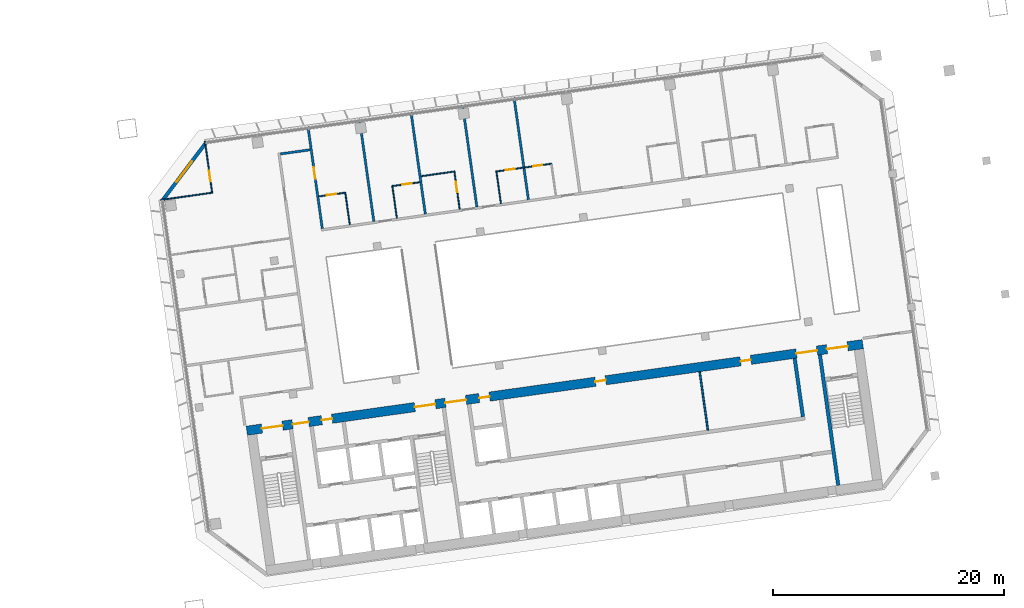
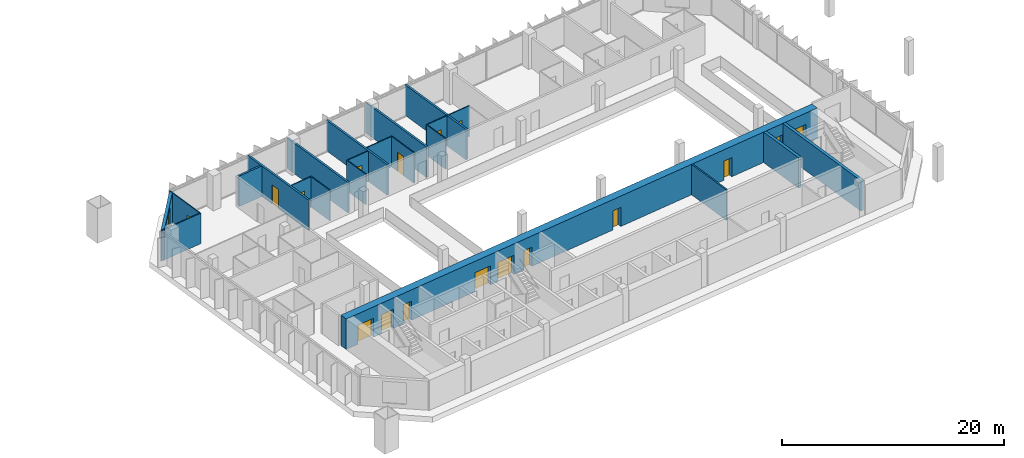
# One storey, part 22 of 26: 21 walls, 17 doors, 1 window, 18 openings.
"""IFC4 building model written with IfcOpenShell, lengths in metres."""

import ifcopenshell
import ifcopenshell.guid

model = None  # the IFC model being written
_history = None  # IfcOwnerHistory: only IFC2X3 demands one
_inside = {}  # id of a spatial element -> (the spatial element, [elements in it])
_under = {}  # id of a project, library or spatial element -> (it, [spatial elements below it])
_declared = {}  # id of a project -> (the project, [libraries it declares])
_typed = {}  # id of a type object -> (the type object, [elements of that type])
_made_of = {}  # id of a material, layer set ... -> (it, [elements and type objects made of it])


def new_model(schema):
    """Start an empty IFC model of exactly this schema.

    Asked for "IFC4X3", IfcOpenShell would pick the latest addendum, in which some entities
    have other attributes; the version numbers below select the first issue.
    IFC2X3 requires an IfcOwnerHistory on every rooted entity: one is made here for all.
    """
    global model, _history
    if schema == "IFC4X3":
        model = ifcopenshell.file(schema_version=(4, 3, 0, 0))
    else:
        model = ifcopenshell.file(schema=schema)
    _inside.clear()
    _under.clear()
    _declared.clear()
    _typed.clear()
    _made_of.clear()
    _history = None
    if model.schema == "IFC2X3":
        org = make("IfcOrganization", Name="unknown")
        user = make(
            "IfcPersonAndOrganization",
            ThePerson=make("IfcPerson", FamilyName="unknown"),
            TheOrganization=org,
        )
        app = make(
            "IfcApplication",
            ApplicationDeveloper=org,
            Version="unknown",
            ApplicationFullName="unknown",
            ApplicationIdentifier="unknown",
        )
        _history = make(
            "IfcOwnerHistory",
            OwningUser=user,
            OwningApplication=app,
            ChangeAction="ADDED",
            CreationDate=0,
        )
    return model


def make(cls, **values):
    """One entity of the class cls with the attributes given. An attribute that is None is left unset."""
    return model.create_entity(
        cls, **{name: value for name, value in values.items() if value is not None}
    )


def rooted(cls, **values):
    """An entity with a GlobalId (a new one), such as an element, a storey or a relation."""
    return make(cls, GlobalId=ifcopenshell.guid.new(), OwnerHistory=_history, **values)


def si_unit(unit_type, name, prefix=None):
    """IfcSIUnit, for example si_unit("LENGTHUNIT", "METRE", prefix="MILLI")."""
    return make("IfcSIUnit", UnitType=unit_type, Prefix=prefix, Name=name)


def assignment(units):
    """IfcUnitAssignment: the units of a project."""
    return None if units is None else make("IfcUnitAssignment", Units=units)


def point(xyz):
    """IfcCartesianPoint."""
    return None if xyz is None else make("IfcCartesianPoint", Coordinates=xyz)


def direction(xyz):
    """IfcDirection."""
    return None if xyz is None else make("IfcDirection", DirectionRatios=xyz)


def frame(location, z_axis=None, x_axis=None):
    """IfcAxis2Placement3D, a coordinate frame: its origin and axes. An axis left out is left unset."""
    return make(
        "IfcAxis2Placement3D",
        Location=point(location),
        Axis=direction(z_axis),
        RefDirection=direction(x_axis),
    )


def frame_2d(location, x_axis=None):
    """IfcAxis2Placement2D, a coordinate frame in the plane: its origin and x axis."""
    return make(
        "IfcAxis2Placement2D", Location=point(location), RefDirection=direction(x_axis)
    )


def origin():
    """The frame at (0, 0, 0) with its axes left unset."""
    return frame((0.0, 0.0, 0.0))


def place(relative_to, where):
    """IfcLocalPlacement: puts the frame where relative to a parent placement (None: the world)."""
    return make(
        "IfcLocalPlacement", PlacementRelTo=relative_to, RelativePlacement=where
    )


def context(
    kind, dimensions, precision=None, world=None, true_north=None, identifier=None
):
    """IfcGeometricRepresentationContext, for example the 3D "Model" context."""
    return make(
        "IfcGeometricRepresentationContext",
        ContextIdentifier=identifier,
        ContextType=kind,
        CoordinateSpaceDimension=dimensions,
        Precision=precision,
        WorldCoordinateSystem=world,
        TrueNorth=true_north,
    )


def subcontext(parent, identifier, kind, view, scale=None):
    """IfcGeometricRepresentationSubContext, for example "Body" below "Model"."""
    return make(
        "IfcGeometricRepresentationSubContext",
        ContextIdentifier=identifier,
        ContextType=kind,
        ParentContext=parent,
        TargetScale=scale,
        TargetView=view,
    )


def project(units=None, contexts=None):
    """IfcProject with its units and contexts."""
    return rooted(
        "IfcProject",
        Name="project",
        RepresentationContexts=contexts,
        UnitsInContext=assignment(units),
    )


def spatial(cls, under=None, at=None, **own):
    """A site, building, storey or space (cls), placed at a placement, below another one or the project."""
    s = rooted(cls, ObjectPlacement=at, **own)
    if under is not None:
        _under.setdefault(under.id(), (under, []))[1].append(s)
    return s


def profile(cls, at=None, kind="AREA", **sizes):
    """A parametric profile (cls). Its sizes go by their IFC names, for example OverallWidth=200.0."""
    return make(cls, ProfileType=kind, Position=at, **sizes)


def rectangle(**sizes):
    """IfcRectangleProfileDef."""
    return profile("IfcRectangleProfileDef", **sizes)


def extrude(swept, where, along, depth):
    """IfcExtrudedAreaSolid: the profile swept, set in the frame where, extruded along a direction by depth."""
    return make(
        "IfcExtrudedAreaSolid",
        SweptArea=swept,
        Position=where,
        ExtrudedDirection=direction(along),
        Depth=depth,
    )


def shape(context_of_items, identifier, shape_type, items):
    """IfcShapeRepresentation: the items that make up one representation, for example the "Body"."""
    return make(
        "IfcShapeRepresentation",
        ContextOfItems=context_of_items,
        RepresentationIdentifier=identifier,
        RepresentationType=shape_type,
        Items=items,
    )


def material(Name=None, Category=None):
    """IfcMaterial."""
    return make("IfcMaterial", Name=Name, Category=Category)


def layer(
    of_material, thickness, ventilated=None, Name=None, Category=None, Priority=None
):
    """IfcMaterialLayer: one layer of a wall or slab, of a material (None: an air gap)."""
    return make(
        "IfcMaterialLayer",
        Material=of_material,
        LayerThickness=thickness,
        IsVentilated=ventilated,
        Name=Name,
        Category=Category,
        Priority=Priority,
    )


def layer_set(layers, Name=None):
    """IfcMaterialLayerSet."""
    return make("IfcMaterialLayerSet", MaterialLayers=layers, LayerSetName=Name)


def made_of(thing, what):
    """Note that an element or type object is made of a material, layer set ...; save() writes the relation."""
    if what is not None:
        _made_of.setdefault(what.id(), (what, []))[1].append(thing)
    return thing


def type_object(cls, material=None, **own):
    """A type object (cls), such as IfcWallType, which elements share."""
    return made_of(rooted(cls, **own), material)


def element(
    cls,
    number,
    at=None,
    inside=None,
    cuts=None,
    type_object=None,
    material=None,
    context=None,
    identifier="Body",
    shape_type=None,
    held_by="IfcProductDefinitionShape",
    body=None,
    shapes=None,
    **own,
):
    """One element of the class cls, such as IfcWall. Its Tag is "e" and its number.

    at: its placement. inside: the storey or other place that contains it. cuts: it is an
    opening in that element (IfcRelVoidsElement). A single representation is given by context,
    identifier, shape_type and body (its items); several are given by shapes. held_by: the class
    of the entity that holds the representations. save() writes the other relations.
    """
    e = rooted(cls, Tag="e%d" % number, ObjectPlacement=at, **own)
    if body is not None:
        shapes = [shape(context, identifier, shape_type, body)]
    if shapes is not None:
        e.Representation = make(held_by, Representations=shapes)
    if inside is not None:
        _inside.setdefault(inside.id(), (inside, []))[1].append(e)
    if cuts is not None:
        rooted(
            "IfcRelVoidsElement", RelatingBuildingElement=cuts, RelatedOpeningElement=e
        )
    if type_object is not None:
        _typed.setdefault(type_object.id(), (type_object, []))[1].append(e)
    return made_of(e, material)


def fill(opening, filler):
    """IfcRelFillsElement: the door or window that sits in an opening."""
    return rooted(
        "IfcRelFillsElement",
        RelatingOpeningElement=opening,
        RelatedBuildingElement=filler,
    )


def aggregate(whole, parts):
    """IfcRelAggregates: a whole, such as a stair, and the parts it consists of."""
    return rooted("IfcRelAggregates", RelatingObject=whole, RelatedObjects=parts)


def save(model, path):
    """Write the relations noted so far, then the file.

    IfcRelAggregates (storeys below a building ...), IfcRelContainedInSpatialStructure (elements
    in a storey), IfcRelDefinesByType, IfcRelAssociatesMaterial and IfcRelDeclares: one each for
    every whole, place, type object, material and project.
    """
    for whole, parts in _under.values():
        aggregate(whole, parts)
    for where, things in _inside.values():
        rooted(
            "IfcRelContainedInSpatialStructure",
            RelatedElements=things,
            RelatingStructure=where,
        )
    for kind, things in _typed.values():
        rooted("IfcRelDefinesByType", RelatedObjects=things, RelatingType=kind)
    for what, things in _made_of.values():
        rooted("IfcRelAssociatesMaterial", RelatedObjects=things, RelatingMaterial=what)
    for by, libraries in _declared.values():
        rooted("IfcRelDeclares", RelatingContext=by, RelatedDefinitions=libraries)
    model.write(path)


model = new_model("IFC4")

# Units and contexts
model_context = context("Model", 3, precision=1e-05, world=origin(), true_north=direction((0.0, 1.0)))
body_context = subcontext(model_context, "Body", "Model", "MODEL_VIEW")
ifc_project = project(units=[si_unit("LENGTHUNIT", "METRE"), si_unit("AREAUNIT", "SQUARE_METRE"), si_unit("VOLUMEUNIT", "CUBIC_METRE"), si_unit("PLANEANGLEUNIT", "RADIAN"), si_unit("MASSUNIT", "GRAM", prefix="KILO")], contexts=[model_context])

# Site, building, storey
site_placement = place(None, origin())
site = spatial("IfcSite", under=ifc_project, at=site_placement, CompositionType="ELEMENT")
building_placement = place(site_placement, origin())
building = spatial("IfcBuilding", under=site, at=building_placement, Name="Mirante Cascada Hotel Towers", CompositionType="ELEMENT")
storey_placement = place(building_placement, frame((0.0, 0.0, 98.7)))
storey = spatial("IfcBuildingStorey", under=building, at=storey_placement, Name="L21", CompositionType="ELEMENT", Elevation=98.7)

# Wall
ifc_material_1 = material(Name="Fire-rated plasterboard on metal studs")
ifc_layer_1 = layer(ifc_material_1, 0.2)
ifc_layer_set_1 = layer_set([ifc_layer_1], Name="Compartment wall 200 EI 120")
wall_type_1 = type_object("IfcWallType", Name="Compartment wall 200 EI 120", PredefinedType="PARTITIONING", material=ifc_layer_set_1)
wall_1_placement = place(storey_placement, frame((40.9036, 16.6995, 0.0), z_axis=(0.0, 0.0, 1.0), x_axis=(-0.9902647, -0.1391971, 0.0)))
element("IfcWall", 1, at=wall_1_placement, inside=storey, type_object=wall_type_1, Name="Wall 2-L21-19", PredefinedType="PARTITIONING", context=body_context, shape_type="SweptSolid", body=[
    extrude(rectangle(XDim=2.5999, YDim=0.2, at=frame_2d((1.3, 0.0))), origin(), (0.0, 0.0, 1.0), 3.35),
])

# Wall, opening, door
wall_2_placement = place(storey_placement, frame((40.7243, 18.6939, 0.0), z_axis=(0.0, 0.0, 1.0), x_axis=(0.1391794, -0.9902672, 0.0)))
wall_2 = element("IfcWall", 2, at=wall_2_placement, inside=storey, type_object=wall_type_1, Name="Wall 2-L21-29", PredefinedType="PARTITIONING", context=body_context, shape_type="SweptSolid", body=[
    extrude(rectangle(XDim=8.9, YDim=0.2, at=frame_2d((4.45, 0.0))), origin(), (0.0, 0.0, 1.0), 3.35),
])
opening_1_placement = place(wall_2_placement, frame((3.55, 0.0, 0.0)))
opening_1 = element("IfcOpeningElement", 3, at=opening_1_placement, cuts=wall_2, Name="Opening D2-L21-28", PredefinedType="OPENING", context=body_context, shape_type="SweptSolid", body=[
    extrude(rectangle(XDim=1.0, YDim=2.1, at=frame_2d((0.5, 1.05))), frame((0.0, 0.1, 0.0), z_axis=(0.0, -1.0, 0.0), x_axis=(1.0, 0.0, 0.0)), (0.0, 0.0, 1.0), 0.2),
])
ifc_material_2 = material(Name="Fire-rated timber door leaf", Category="wood")
door_type_1 = type_object("IfcDoorType", Name="Entrance door DG1 1000x2100 EI 60", OperationType="SINGLE_SWING_LEFT", PredefinedType="DOOR", material=ifc_material_2)
door_1_placement = place(opening_1_placement, origin())
door_1 = element("IfcDoor", 4, at=door_1_placement, inside=storey, type_object=door_type_1, Name="Door D2-L21-28", OperationType="SINGLE_SWING_LEFT", OverallHeight=2.1, OverallWidth=1.0, PredefinedType="DOOR", context=body_context, shape_type="SweptSolid", body=[
    extrude(rectangle(XDim=1.0, YDim=2.1, at=frame_2d((0.5, 1.05))), frame((0.0, 0.025, 0.0), z_axis=(0.0, -1.0, 0.0), x_axis=(1.0, 0.0, 0.0)), (0.0, 0.0, 1.0), 0.05),
])
fill(opening_1, door_1)

# Walls
for number, where, z_axis, x_axis, name in (
    (5, (45.1805, 19.3202, 0.0), (0.0, 0.0, 1.0), (0.1391794, -0.9902672, 0.0), "Wall 2-L21-31"),
    (6, (49.6367, 19.9465, 0.0), (0.0, 0.0, 1.0), (0.1391794, -0.9902672, 0.0), "Wall 2-L21-33"),
    (7, (54.0929, 20.5728, 0.0), (0.0, 0.0, 1.0), (0.1391794, -0.9902672, 0.0), "Wall 2-L21-35"),
):
    element("IfcWall", number, at=place(storey_placement, frame(where, z_axis=z_axis, x_axis=x_axis)), inside=storey, type_object=wall_type_1, Name=name, PredefinedType="PARTITIONING", context=body_context, shape_type="SweptSolid", body=[
        extrude(rectangle(XDim=8.9, YDim=0.2, at=frame_2d((4.45, 0.0))), origin(), (0.0, 0.0, 1.0), 3.35),
    ])
wall_3_placement = place(storey_placement, frame((58.5492, 21.199, 0.0), z_axis=(0.0, 0.0, 1.0), x_axis=(0.13917, -0.9902685, 0.0)))
element("IfcWall", 8, at=wall_3_placement, inside=storey, type_object=wall_type_1, Name="Wall 2-L21-37", PredefinedType="PARTITIONING", context=body_context, shape_type="SweptSolid", body=[
    extrude(rectangle(XDim=8.8999, YDim=0.2, at=frame_2d((4.45, 0.0))), origin(), (0.0, 0.0, 1.0), 3.35),
])
ifc_material_3 = material(Name="Masonry block", Category="masonry")
ifc_layer_2 = layer(ifc_material_3, 0.15)
ifc_layer_set_2 = layer_set([ifc_layer_2], Name="Core room partition 150 block EI 30")
wall_type_2 = type_object("IfcWallType", Name="Core room partition 150 block EI 30", PredefinedType="PARTITIONING", material=ifc_layer_set_2)
wall_4_placement = place(storey_placement, frame((75.3131, -7.5476, 0.0), z_axis=(0.0, 0.0, 1.0), x_axis=(-0.1391782, 0.9902673, 0.0)))
element("IfcWall", 9, at=wall_4_placement, inside=storey, type_object=wall_type_2, Name="Core wall partition T2 L21 6", PredefinedType="PARTITIONING", context=body_context, shape_type="SweptSolid", body=[
    extrude(rectangle(XDim=5.0999, YDim=0.15, at=frame_2d((2.55, 0.0))), origin(), (0.0, 0.0, 1.0), 3.35),
])

# Wall, opening, door
ifc_material_4 = material(Name="Plasterboard on metal studs")
ifc_layer_3 = layer(ifc_material_4, 0.1)
ifc_layer_set_3 = layer_set([ifc_layer_3], Name="Partition 100")
wall_type_3 = type_object("IfcWallType", Name="Partition 100", PredefinedType="PARTITIONING", material=ifc_layer_set_3)
wall_5_placement = place(storey_placement, frame((43.9004, 12.9804, 0.0), z_axis=(0.0, 0.0, 1.0), x_axis=(-0.9902643, -0.1391997, 0.0)))
wall_5 = element("IfcWall", 10, at=wall_5_placement, inside=storey, type_object=wall_type_3, Name="Wall 2-L21-11", PredefinedType="PARTITIONING", context=body_context, shape_type="SweptSolid", body=[
    extrude(rectangle(XDim=2.25, YDim=0.1, at=frame_2d((1.125, 0.0))), origin(), (0.0, 0.0, 1.0), 3.35),
])
opening_2_placement = place(wall_5_placement, frame((0.75, 0.0, 0.0)))
opening_2 = element("IfcOpeningElement", 11, at=opening_2_placement, cuts=wall_5, Name="Opening D2-L21-13", PredefinedType="OPENING", context=body_context, shape_type="SweptSolid", body=[
    extrude(rectangle(XDim=0.8, YDim=2.1, at=frame_2d((0.4, 1.05))), frame((0.0, 0.05, 0.0), z_axis=(0.0, -1.0, 0.0), x_axis=(1.0, 0.0, 0.0)), (0.0, 0.0, 1.0), 0.1),
])
ifc_material_5 = material(Name="Timber door leaf", Category="wood")
door_type_2 = type_object("IfcDoorType", Name="Bathroom door DG4 800x2100", OperationType="SINGLE_SWING_LEFT", PredefinedType="DOOR", material=ifc_material_5)
door_2_placement = place(opening_2_placement, frame((0.8, 0.0, 0.0), z_axis=(0.0, 0.0, 1.0), x_axis=(-1.0, 0.0, 0.0)))
door_2 = element("IfcDoor", 12, at=door_2_placement, inside=storey, type_object=door_type_2, Name="Door D2-L21-13", OperationType="SINGLE_SWING_RIGHT", OverallHeight=2.1, OverallWidth=0.8, PredefinedType="DOOR", context=body_context, shape_type="SweptSolid", body=[
    extrude(rectangle(XDim=0.8, YDim=2.1, at=frame_2d((0.4, 1.05))), frame((0.0, 0.025, 0.0), z_axis=(0.0, -1.0, 0.0), x_axis=(1.0, 0.0, 0.0)), (0.0, 0.0, 1.0), 0.05),
])
fill(opening_2, door_2)

wall_6_placement = place(storey_placement, frame((48.0719, 13.5666, 0.0), z_axis=(0.0, 0.0, 1.0), x_axis=(0.9902695, 0.1391631, 0.0)))
wall_6 = element("IfcWall", 13, at=wall_6_placement, inside=storey, type_object=wall_type_3, Name="Wall 2-L21-12", PredefinedType="PARTITIONING", context=body_context, shape_type="SweptSolid", body=[
    extrude(rectangle(XDim=2.3375, YDim=0.1, at=frame_2d((1.1688, 0.0))), origin(), (0.0, 0.0, 1.0), 3.35),
])
opening_3_placement = place(wall_6_placement, frame((0.8375, 0.0, 0.0)))
opening_3 = element("IfcOpeningElement", 14, at=opening_3_placement, cuts=wall_6, Name="Opening D2-L21-14", PredefinedType="OPENING", context=body_context, shape_type="SweptSolid", body=[
    extrude(rectangle(XDim=0.8, YDim=2.1, at=frame_2d((0.4, 1.05))), frame((0.0, 0.05, 0.0), z_axis=(0.0, -1.0, 0.0), x_axis=(1.0, 0.0, 0.0)), (0.0, 0.0, 1.0), 0.1),
])
door_3_placement = place(opening_3_placement, origin())
door_3 = element("IfcDoor", 15, at=door_3_placement, inside=storey, type_object=door_type_2, Name="Door D2-L21-14", OperationType="SINGLE_SWING_LEFT", OverallHeight=2.1, OverallWidth=0.8, PredefinedType="DOOR", context=body_context, shape_type="SweptSolid", body=[
    extrude(rectangle(XDim=0.8, YDim=2.1, at=frame_2d((0.4, 1.05))), frame((0.0, 0.025, 0.0), z_axis=(0.0, -1.0, 0.0), x_axis=(1.0, 0.0, 0.0)), (0.0, 0.0, 1.0), 0.05),
])
fill(opening_3, door_3)

# Wall, openings, doors
wall_7_placement = place(storey_placement, frame((61.8243, 15.4994, 0.0), z_axis=(0.0, 0.0, 1.0), x_axis=(-0.9902666, -0.1391838, 0.0)))
wall_7 = element("IfcWall", 16, at=wall_7_placement, inside=storey, type_object=wall_type_3, Name="Wall 2-L21-13", PredefinedType="PARTITIONING", context=body_context, shape_type="SweptSolid", body=[
    extrude(rectangle(XDim=4.9, YDim=0.1, at=frame_2d((2.45, 0.0))), origin(), (0.0, 0.0, 1.0), 3.35),
])
opening_4_placement = place(wall_7_placement, frame((3.25, 0.0, 0.0)))
opening_4 = element("IfcOpeningElement", 17, at=opening_4_placement, cuts=wall_7, Name="Opening D2-L21-15", PredefinedType="OPENING", context=body_context, shape_type="SweptSolid", body=[
    extrude(rectangle(XDim=0.8, YDim=2.1, at=frame_2d((0.4, 1.05))), frame((0.0, 0.05, 0.0), z_axis=(0.0, -1.0, 0.0), x_axis=(1.0, 0.0, 0.0)), (0.0, 0.0, 1.0), 0.1),
])
opening_5_placement = place(wall_7_placement, frame((0.85, 0.0, 0.0)))
opening_5 = element("IfcOpeningElement", 18, at=opening_5_placement, cuts=wall_7, Name="Opening D2-L21-16", PredefinedType="OPENING", context=body_context, shape_type="SweptSolid", body=[
    extrude(rectangle(XDim=0.8, YDim=2.1, at=frame_2d((0.4, 1.05))), frame((0.0, 0.05, 0.0), z_axis=(0.0, -1.0, 0.0), x_axis=(1.0, 0.0, 0.0)), (0.0, 0.0, 1.0), 0.1),
])
door_4_placement = place(opening_4_placement, frame((0.8, 0.0, 0.0), z_axis=(0.0, 0.0, 1.0), x_axis=(-1.0, 0.0, 0.0)))
door_4 = element("IfcDoor", 19, at=door_4_placement, inside=storey, type_object=door_type_2, Name="Door D2-L21-15", OperationType="SINGLE_SWING_RIGHT", OverallHeight=2.1, OverallWidth=0.8, PredefinedType="DOOR", context=body_context, shape_type="SweptSolid", body=[
    extrude(rectangle(XDim=0.8, YDim=2.1, at=frame_2d((0.4, 1.05))), frame((0.0, 0.025, 0.0), z_axis=(0.0, -1.0, 0.0), x_axis=(1.0, 0.0, 0.0)), (0.0, 0.0, 1.0), 0.05),
])
fill(opening_4, door_4)
door_5_placement = place(opening_5_placement, frame((0.8, 0.0, 0.0), z_axis=(0.0, 0.0, 1.0), x_axis=(-1.0, 0.0, 0.0)))
door_5 = element("IfcDoor", 20, at=door_5_placement, inside=storey, type_object=door_type_2, Name="Door D2-L21-16", OperationType="SINGLE_SWING_RIGHT", OverallHeight=2.1, OverallWidth=0.8, PredefinedType="DOOR", context=body_context, shape_type="SweptSolid", body=[
    extrude(rectangle(XDim=0.8, YDim=2.1, at=frame_2d((0.4, 1.05))), frame((0.0, 0.025, 0.0), z_axis=(0.0, -1.0, 0.0), x_axis=(1.0, 0.0, 0.0)), (0.0, 0.0, 1.0), 0.05),
])
fill(opening_5, door_5)

# Walls
wall_8_placement = place(storey_placement, frame((53.3374, 14.8115, 0.0), z_axis=(0.0, 0.0, 1.0), x_axis=(-0.9902704, -0.1391564, 0.0)))
element("IfcWall", 21, at=wall_8_placement, inside=storey, type_object=wall_type_3, Name="Wall 2-L21-17", PredefinedType="PARTITIONING", context=body_context, shape_type="SweptSolid", body=[
    extrude(rectangle(XDim=2.85, YDim=0.1, at=frame_2d((1.425, 0.0))), origin(), (0.0, 0.0, 1.0), 3.35),
])
wall_9_placement = place(storey_placement, frame((27.982, 12.3589, 0.0), z_axis=(0.0, 0.0, 1.0), x_axis=(0.9902691, 0.1391656, 0.0)))
element("IfcWall", 22, at=wall_9_placement, inside=storey, type_object=wall_type_3, Name="Wall 2-L21-18", PredefinedType="PARTITIONING", context=body_context, shape_type="SweptSolid", body=[
    extrude(rectangle(XDim=4.55, YDim=0.1, at=frame_2d((2.275, 0.0))), origin(), (0.0, 0.0, 1.0), 3.35),
])

# Wall, opening, door
wall_10_placement = place(storey_placement, frame((32.4312, 13.0347, 0.0), z_axis=(0.0, 0.0, 1.0), x_axis=(-0.1391684, 0.9902687, 0.0)))
wall_10 = element("IfcWall", 23, at=wall_10_placement, inside=storey, type_object=wall_type_3, Name="Wall 2-L21-24", PredefinedType="PARTITIONING", context=body_context, shape_type="SweptSolid", body=[
    extrude(rectangle(XDim=4.45, YDim=0.1, at=frame_2d((2.225, 0.0))), origin(), (0.0, 0.0, 1.0), 3.35),
])
opening_6_placement = place(wall_10_placement, frame((0.9667, 0.0, 0.0)))
opening_6 = element("IfcOpeningElement", 24, at=opening_6_placement, cuts=wall_10, Name="Opening D2-L21-23", PredefinedType="OPENING", context=body_context, shape_type="SweptSolid", body=[
    extrude(rectangle(XDim=0.9, YDim=2.1, at=frame_2d((0.45, 1.05))), frame((0.0, 0.05, 0.0), z_axis=(0.0, -1.0, 0.0), x_axis=(1.0, 0.0, 0.0)), (0.0, 0.0, 1.0), 0.1),
])
ifc_material_6 = material(Name="Timber door leaf", Category="wood")
door_type_3 = type_object("IfcDoorType", Name="Room door DG3 900x2100", OperationType="SINGLE_SWING_LEFT", PredefinedType="DOOR", material=ifc_material_6)
door_6_placement = place(opening_6_placement, frame((0.9, 0.0, 0.0), z_axis=(0.0, 0.0, 1.0), x_axis=(-1.0, 0.0, 0.0)))
door_6 = element("IfcDoor", 25, at=door_6_placement, inside=storey, type_object=door_type_3, Name="Door D2-L21-23", OperationType="SINGLE_SWING_RIGHT", OverallHeight=2.1, OverallWidth=0.9, PredefinedType="DOOR", context=body_context, shape_type="SweptSolid", body=[
    extrude(rectangle(XDim=0.9, YDim=2.1, at=frame_2d((0.45, 1.05))), frame((0.0, 0.025, 0.0), z_axis=(0.0, -1.0, 0.0), x_axis=(1.0, 0.0, 0.0)), (0.0, 0.0, 1.0), 0.05),
])
fill(opening_6, door_6)

# Walls
wall_11_placement = place(storey_placement, frame((44.3396, 10.2146, 0.0), z_axis=(0.0, 0.0, 1.0), x_axis=(-0.1391613, 0.9902697, 0.0)))
element("IfcWall", 26, at=wall_11_placement, inside=storey, type_object=wall_type_3, Name="Wall 2-L21-30", PredefinedType="PARTITIONING", context=body_context, shape_type="SweptSolid", body=[
    extrude(rectangle(XDim=2.8499, YDim=0.1, at=frame_2d((1.425, 0.0))), origin(), (0.0, 0.0, 1.0), 3.35),
])
wall_12_placement = place(storey_placement, frame((48.4121, 10.7869, 0.0), z_axis=(0.0, 0.0, 1.0), x_axis=(-0.1391909, 0.9902656, 0.0)))
element("IfcWall", 27, at=wall_12_placement, inside=storey, type_object=wall_type_3, Name="Wall 2-L21-32", PredefinedType="PARTITIONING", context=body_context, shape_type="SweptSolid", body=[
    extrude(rectangle(XDim=2.85, YDim=0.1, at=frame_2d((1.425, 0.0))), origin(), (0.0, 0.0, 1.0), 3.35),
])

# Wall, opening, door
wall_13_placement = place(storey_placement, frame((53.8462, 11.5506, 0.0), z_axis=(0.0, 0.0, 1.0), x_axis=(-0.1391643, 0.9902693, 0.0)))
wall_13 = element("IfcWall", 28, at=wall_13_placement, inside=storey, type_object=wall_type_3, Name="Wall 2-L21-34", PredefinedType="PARTITIONING", context=body_context, shape_type="SweptSolid", body=[
    extrude(rectangle(XDim=3.35, YDim=0.1, at=frame_2d((1.675, 0.0))), origin(), (0.0, 0.0, 1.0), 3.35),
])
opening_7_placement = place(wall_13_placement, frame((1.49, 0.0, 0.0)))
opening_7 = element("IfcOpeningElement", 29, at=opening_7_placement, cuts=wall_13, Name="Opening D2-L21-29", PredefinedType="OPENING", context=body_context, shape_type="SweptSolid", body=[
    extrude(rectangle(XDim=0.9, YDim=2.1, at=frame_2d((0.45, 1.05))), frame((0.0, 0.05, 0.0), z_axis=(0.0, -1.0, 0.0), x_axis=(1.0, 0.0, 0.0)), (0.0, 0.0, 1.0), 0.1),
])
door_7_placement = place(opening_7_placement, origin())
door_7 = element("IfcDoor", 30, at=door_7_placement, inside=storey, type_object=door_type_3, Name="Door D2-L21-29", OperationType="SINGLE_SWING_LEFT", OverallHeight=2.1, OverallWidth=0.9, PredefinedType="DOOR", context=body_context, shape_type="SweptSolid", body=[
    extrude(rectangle(XDim=0.9, YDim=2.1, at=frame_2d((0.45, 1.05))), frame((0.0, 0.025, 0.0), z_axis=(0.0, -1.0, 0.0), x_axis=(1.0, 0.0, 0.0)), (0.0, 0.0, 1.0), 0.05),
])
fill(opening_7, door_7)

# Wall
wall_14_placement = place(storey_placement, frame((57.4112, 12.0516, 0.0), z_axis=(0.0, 0.0, 1.0), x_axis=(-0.1391963, 0.9902648, 0.0)))
element("IfcWall", 31, at=wall_14_placement, inside=storey, type_object=wall_type_3, Name="Wall 2-L21-36", PredefinedType="PARTITIONING", context=body_context, shape_type="SweptSolid", body=[
    extrude(rectangle(XDim=2.7501, YDim=0.1, at=frame_2d((1.3751, 0.0))), origin(), (0.0, 0.0, 1.0), 3.35),
])

# Wall, opening, window
ifc_material_7 = material(Name="Precast concrete C40/50", Category="concrete")
ifc_layer_4 = layer(ifc_material_7, 0.3)
ifc_layer_set_4 = layer_set([ifc_layer_4], Name="Precast concrete C40/50 cladding wall 300")
wall_type_4 = type_object("IfcWallType", Name="Precast concrete C40/50 cladding wall 300", PredefinedType="STANDARD", material=ifc_layer_set_4)
wall_15_placement = place(storey_placement, frame((31.857, 17.252, 0.0), z_axis=(0.0, 0.0, 1.0), x_axis=(-0.6018141, -0.7986362, 0.0)))
wall_15 = element("IfcWall", 32, at=wall_15_placement, inside=storey, type_object=wall_type_4, Name="Corner cladding wall T2 L21 front inner", PredefinedType="STANDARD", context=body_context, shape_type="SweptSolid", body=[
    extrude(rectangle(XDim=6.1157, YDim=0.3, at=frame_2d((3.0578, 0.0))), origin(), (0.0, 0.0, 1.0), 3.35),
])
opening_8_placement = place(wall_15_placement, frame((1.9578, 0.0, 0.6)))
opening_8 = element("IfcOpeningElement", 33, at=opening_8_placement, cuts=wall_15, Name="Opening W2-21-03", PredefinedType="OPENING", context=body_context, shape_type="SweptSolid", body=[
    extrude(rectangle(XDim=2.2, YDim=2.4, at=frame_2d((1.1, 1.2))), frame((0.0, 0.15, 0.0), z_axis=(0.0, -1.0, 0.0), x_axis=(1.0, 0.0, 0.0)), (0.0, 0.0, 1.0), 0.3),
])
ifc_material_8 = material(Name="Aluminium frame with clear double glazing", Category="aluminium")
window_type = type_object("IfcWindowType", Name="Corner suite window 2200x2400", PartitioningType="DOUBLE_PANEL_VERTICAL", PredefinedType="WINDOW", material=ifc_material_8)
window_placement = place(opening_8_placement, origin())
window = element("IfcWindow", 34, at=window_placement, inside=storey, type_object=window_type, Name="Window W2-21-03", OverallHeight=2.4, OverallWidth=2.2, PartitioningType="SINGLE_PANEL", PredefinedType="WINDOW", context=body_context, shape_type="SweptSolid", body=[
    extrude(rectangle(XDim=2.2, YDim=2.4, at=frame_2d((1.1, 1.2))), frame((0.0, 0.03, 0.0), z_axis=(0.0, -1.0, 0.0), x_axis=(1.0, 0.0, 0.0)), (0.0, 0.0, 1.0), 0.06),
])
fill(opening_8, window)

# Walls
ifc_material_9 = material(Name="Concrete C50/60", Category="concrete")
ifc_layer_5 = layer(ifc_material_9, 0.3)
ifc_layer_set_5 = layer_set([ifc_layer_5], Name="RC core wall 300 C50/60")
wall_type_5 = type_object("IfcWallType", Name="RC core wall 300 C50/60", PredefinedType="SHEAR", material=ifc_layer_set_5)
wall_16_placement = place(storey_placement, frame((86.5877, -12.325, 0.0), z_axis=(0.0, 0.0, 1.0), x_axis=(-0.1391749, 0.9902678, 0.0)))
element("IfcWall", 35, at=wall_16_placement, inside=storey, type_object=wall_type_5, Name="Core wall T2:L21:8", PredefinedType="SHEAR", context=body_context, shape_type="SweptSolid", body=[
    extrude(rectangle(XDim=11.4, YDim=0.3, at=frame_2d((5.7, 0.0))), origin(), (0.0, 0.0, 1.0), 3.35),
])
wall_17_placement = place(storey_placement, frame((83.5323, -6.3925, 0.0), z_axis=(0.0, 0.0, 1.0), x_axis=(-0.1391755, 0.9902677, 0.0)))
element("IfcWall", 36, at=wall_17_placement, inside=storey, type_object=wall_type_5, Name="Core wall T2:L21:34", PredefinedType="SHEAR", context=body_context, shape_type="SweptSolid", body=[
    extrude(rectangle(XDim=5.1, YDim=0.3, at=frame_2d((2.55, 0.0))), origin(), (0.0, 0.0, 1.0), 3.35),
])

# Wall, openings, doors
ifc_material_10 = material(Name="Concrete C50/60", Category="concrete")
ifc_layer_6 = layer(ifc_material_10, 0.8)
ifc_layer_set_6 = layer_set([ifc_layer_6], Name="RC core wall 800 C50/60")
wall_type_6 = type_object("IfcWallType", Name="RC core wall 800 C50/60", PredefinedType="SHEAR", material=ifc_layer_set_6)
wall_18_placement = place(storey_placement, frame((35.432, -7.5985, 0.0), z_axis=(0.0, 0.0, 1.0), x_axis=(0.9902681, 0.1391729, 0.0)))
wall_18 = element("IfcWall", 37, at=wall_18_placement, inside=storey, type_object=wall_type_6, Name="Core wall T2:L21:2", PredefinedType="SHEAR", context=body_context, shape_type="SweptSolid", body=[
    extrude(rectangle(XDim=53.8, YDim=0.8, at=frame_2d((26.9, 0.0))), origin(), (0.0, 0.0, 1.0), 3.35),
])
opening_9_placement = place(wall_18_placement, frame((1.325, 0.0, 0.0)))
opening_9 = element("IfcOpeningElement", 38, at=opening_9_placement, cuts=wall_18, Name="Opening D2-21-C14", PredefinedType="OPENING", context=body_context, shape_type="SweptSolid", body=[
    extrude(rectangle(XDim=1.8, YDim=2.1, at=frame_2d((0.9, 1.05))), frame((0.0, 0.4, 0.0), z_axis=(0.0, -1.0, 0.0), x_axis=(1.0, 0.0, 0.0)), (0.0, 0.0, 1.0), 0.8),
])
opening_10_placement = place(wall_18_placement, frame((14.675, 0.0, 0.0)))
opening_10 = element("IfcOpeningElement", 39, at=opening_10_placement, cuts=wall_18, Name="Opening D2-21-C16", PredefinedType="OPENING", context=body_context, shape_type="SweptSolid", body=[
    extrude(rectangle(XDim=1.8, YDim=2.1, at=frame_2d((0.9, 1.05))), frame((0.0, 0.4, 0.0), z_axis=(0.0, -1.0, 0.0), x_axis=(1.0, 0.0, 0.0)), (0.0, 0.0, 1.0), 0.8),
])
opening_11_placement = place(wall_18_placement, frame((50.675, 0.0, 0.0)))
opening_11 = element("IfcOpeningElement", 40, at=opening_11_placement, cuts=wall_18, Name="Opening D2-21-C18", PredefinedType="OPENING", context=body_context, shape_type="SweptSolid", body=[
    extrude(rectangle(XDim=1.8, YDim=2.1, at=frame_2d((0.9, 1.05))), frame((0.0, 0.4, 0.0), z_axis=(0.0, -1.0, 0.0), x_axis=(1.0, 0.0, 0.0)), (0.0, 0.0, 1.0), 0.8),
])
opening_12_placement = place(wall_18_placement, frame((4.0, 0.0, 0.0)))
opening_12 = element("IfcOpeningElement", 41, at=opening_12_placement, cuts=wall_18, Name="Opening D2-21-C19", PredefinedType="OPENING", context=body_context, shape_type="SweptSolid", body=[
    extrude(rectangle(XDim=1.4, YDim=2.1, at=frame_2d((0.7, 1.05))), frame((0.0, 0.4, 0.0), z_axis=(0.0, -1.0, 0.0), x_axis=(1.0, 0.0, 0.0)), (0.0, 0.0, 1.0), 0.8),
])
opening_13_placement = place(wall_18_placement, frame((17.35, 0.0, 0.0)))
opening_13 = element("IfcOpeningElement", 42, at=opening_13_placement, cuts=wall_18, Name="Opening D2-21-C20", PredefinedType="OPENING", context=body_context, shape_type="SweptSolid", body=[
    extrude(rectangle(XDim=1.8, YDim=2.1, at=frame_2d((0.9, 1.05))), frame((0.0, 0.4, 0.0), z_axis=(0.0, -1.0, 0.0), x_axis=(1.0, 0.0, 0.0)), (0.0, 0.0, 1.0), 0.8),
])
opening_14_placement = place(wall_18_placement, frame((48.0, 0.0, 0.0)))
opening_14 = element("IfcOpeningElement", 43, at=opening_14_placement, cuts=wall_18, Name="Opening D2-21-C21", PredefinedType="OPENING", context=body_context, shape_type="SweptSolid", body=[
    extrude(rectangle(XDim=1.8, YDim=2.1, at=frame_2d((0.9, 1.05))), frame((0.0, 0.4, 0.0), z_axis=(0.0, -1.0, 0.0), x_axis=(1.0, 0.0, 0.0)), (0.0, 0.0, 1.0), 0.8),
])
opening_15_placement = place(wall_18_placement, frame((6.55, 0.0, 0.0)))
opening_15 = element("IfcOpeningElement", 44, at=opening_15_placement, cuts=wall_18, Name="Opening D2-21-C24", PredefinedType="OPENING", context=body_context, shape_type="SweptSolid", body=[
    extrude(rectangle(XDim=0.9, YDim=2.1, at=frame_2d((0.45, 1.05))), frame((0.0, 0.4, 0.0), z_axis=(0.0, -1.0, 0.0), x_axis=(1.0, 0.0, 0.0)), (0.0, 0.0, 1.0), 0.8),
])
opening_16_placement = place(wall_18_placement, frame((20.3, 0.0, 0.0)))
opening_16 = element("IfcOpeningElement", 45, at=opening_16_placement, cuts=wall_18, Name="Opening D2-21-C28", PredefinedType="OPENING", context=body_context, shape_type="SweptSolid", body=[
    extrude(rectangle(XDim=0.9, YDim=2.1, at=frame_2d((0.45, 1.05))), frame((0.0, 0.4, 0.0), z_axis=(0.0, -1.0, 0.0), x_axis=(1.0, 0.0, 0.0)), (0.0, 0.0, 1.0), 0.8),
])
opening_17_placement = place(wall_18_placement, frame((30.45, 0.0, 0.0)))
opening_17 = element("IfcOpeningElement", 46, at=opening_17_placement, cuts=wall_18, Name="Opening D2-21-C29", PredefinedType="OPENING", context=body_context, shape_type="SweptSolid", body=[
    extrude(rectangle(XDim=0.9, YDim=2.1, at=frame_2d((0.45, 1.05))), frame((0.0, 0.4, 0.0), z_axis=(0.0, -1.0, 0.0), x_axis=(1.0, 0.0, 0.0)), (0.0, 0.0, 1.0), 0.8),
])
opening_18_placement = place(wall_18_placement, frame((43.125, 0.0, 0.0)))
opening_18 = element("IfcOpeningElement", 47, at=opening_18_placement, cuts=wall_18, Name="Opening D2-21-C30", PredefinedType="OPENING", context=body_context, shape_type="SweptSolid", body=[
    extrude(rectangle(XDim=0.9, YDim=2.1, at=frame_2d((0.45, 1.05))), frame((0.0, 0.4, 0.0), z_axis=(0.0, -1.0, 0.0), x_axis=(1.0, 0.0, 0.0)), (0.0, 0.0, 1.0), 0.8),
])
ifc_material_11 = material(Name="Hollow metal fire door leaf")
door_type_4 = type_object("IfcDoorType", Name="Double fire door 1400x2100 FD60", OperationType="DOUBLE_DOOR_SINGLE_SWING", PredefinedType="DOOR", material=ifc_material_11)
door_8_placement = place(opening_12_placement, origin())
door_8 = element("IfcDoor", 48, at=door_8_placement, inside=storey, type_object=door_type_4, Name="Exit door to gallery T2 L21 19", OperationType="DOUBLE_DOOR_SINGLE_SWING", OverallHeight=2.1, OverallWidth=1.4, PredefinedType="DOOR", context=body_context, shape_type="SweptSolid", body=[
    extrude(rectangle(XDim=0.695, YDim=2.1, at=frame_2d((0.3475, 1.05))), frame((0.0, 0.025, 0.0), z_axis=(0.0, -1.0, 0.0), x_axis=(1.0, 0.0, 0.0)), (0.0, 0.0, 1.0), 0.05),
    extrude(rectangle(XDim=0.695, YDim=2.1, at=frame_2d((1.0525, 1.05))), frame((0.0, 0.025, 0.0), z_axis=(0.0, -1.0, 0.0), x_axis=(1.0, 0.0, 0.0)), (0.0, 0.0, 1.0), 0.05),
])
fill(opening_12, door_8)
ifc_material_12 = material(Name="Hollow metal fire door leaf")
door_type_5 = type_object("IfcDoorType", Name="Double fire door 1800x2100 FD60", OperationType="DOUBLE_DOOR_SINGLE_SWING", PredefinedType="DOOR", material=ifc_material_12)
door_9_placement = place(opening_9_placement, frame((1.8, 0.0, 0.0), z_axis=(0.0, 0.0, 1.0), x_axis=(-1.0, 0.0, 0.0)))
door_9 = element("IfcDoor", 49, at=door_9_placement, inside=storey, type_object=door_type_5, Name="Exit door to gallery T2 L21 14", OperationType="DOUBLE_DOOR_SINGLE_SWING", OverallHeight=2.1, OverallWidth=1.8, PredefinedType="DOOR", context=body_context, shape_type="SweptSolid", body=[
    extrude(rectangle(XDim=0.895, YDim=2.1, at=frame_2d((0.4475, 1.05))), frame((0.0, 0.025, 0.0), z_axis=(0.0, -1.0, 0.0), x_axis=(1.0, 0.0, 0.0)), (0.0, 0.0, 1.0), 0.05),
    extrude(rectangle(XDim=0.895, YDim=2.1, at=frame_2d((1.3525, 1.05))), frame((0.0, 0.025, 0.0), z_axis=(0.0, -1.0, 0.0), x_axis=(1.0, 0.0, 0.0)), (0.0, 0.0, 1.0), 0.05),
])
fill(opening_9, door_9)
door_10_placement = place(opening_10_placement, frame((1.8, 0.0, 0.0), z_axis=(0.0, 0.0, 1.0), x_axis=(-1.0, 0.0, 0.0)))
door_10 = element("IfcDoor", 50, at=door_10_placement, inside=storey, type_object=door_type_5, Name="Exit door to gallery T2 L21 16", OperationType="DOUBLE_DOOR_SINGLE_SWING", OverallHeight=2.1, OverallWidth=1.8, PredefinedType="DOOR", context=body_context, shape_type="SweptSolid", body=[
    extrude(rectangle(XDim=0.895, YDim=2.1, at=frame_2d((0.4475, 1.05))), frame((0.0, 0.025, 0.0), z_axis=(0.0, -1.0, 0.0), x_axis=(1.0, 0.0, 0.0)), (0.0, 0.0, 1.0), 0.05),
    extrude(rectangle(XDim=0.895, YDim=2.1, at=frame_2d((1.3525, 1.05))), frame((0.0, 0.025, 0.0), z_axis=(0.0, -1.0, 0.0), x_axis=(1.0, 0.0, 0.0)), (0.0, 0.0, 1.0), 0.05),
])
fill(opening_10, door_10)
door_11_placement = place(opening_11_placement, frame((1.8, 0.0, 0.0), z_axis=(0.0, 0.0, 1.0), x_axis=(-1.0, 0.0, 0.0)))
door_11 = element("IfcDoor", 51, at=door_11_placement, inside=storey, type_object=door_type_5, Name="Exit door to gallery T2 L21 18", OperationType="DOUBLE_DOOR_SINGLE_SWING", OverallHeight=2.1, OverallWidth=1.8, PredefinedType="DOOR", context=body_context, shape_type="SweptSolid", body=[
    extrude(rectangle(XDim=0.895, YDim=2.1, at=frame_2d((0.4475, 1.05))), frame((0.0, 0.025, 0.0), z_axis=(0.0, -1.0, 0.0), x_axis=(1.0, 0.0, 0.0)), (0.0, 0.0, 1.0), 0.05),
    extrude(rectangle(XDim=0.895, YDim=2.1, at=frame_2d((1.3525, 1.05))), frame((0.0, 0.025, 0.0), z_axis=(0.0, -1.0, 0.0), x_axis=(1.0, 0.0, 0.0)), (0.0, 0.0, 1.0), 0.05),
])
fill(opening_11, door_11)
door_12_placement = place(opening_13_placement, origin())
door_12 = element("IfcDoor", 52, at=door_12_placement, inside=storey, type_object=door_type_5, Name="Exit door to gallery T2 L21 20", OperationType="DOUBLE_DOOR_SINGLE_SWING", OverallHeight=2.1, OverallWidth=1.8, PredefinedType="DOOR", context=body_context, shape_type="SweptSolid", body=[
    extrude(rectangle(XDim=0.895, YDim=2.1, at=frame_2d((0.4475, 1.05))), frame((0.0, 0.025, 0.0), z_axis=(0.0, -1.0, 0.0), x_axis=(1.0, 0.0, 0.0)), (0.0, 0.0, 1.0), 0.05),
    extrude(rectangle(XDim=0.895, YDim=2.1, at=frame_2d((1.3525, 1.05))), frame((0.0, 0.025, 0.0), z_axis=(0.0, -1.0, 0.0), x_axis=(1.0, 0.0, 0.0)), (0.0, 0.0, 1.0), 0.05),
])
fill(opening_13, door_12)
door_13_placement = place(opening_14_placement, origin())
door_13 = element("IfcDoor", 53, at=door_13_placement, inside=storey, type_object=door_type_5, Name="Exit door to gallery T2 L21 21", OperationType="DOUBLE_DOOR_SINGLE_SWING", OverallHeight=2.1, OverallWidth=1.8, PredefinedType="DOOR", context=body_context, shape_type="SweptSolid", body=[
    extrude(rectangle(XDim=0.895, YDim=2.1, at=frame_2d((0.4475, 1.05))), frame((0.0, 0.025, 0.0), z_axis=(0.0, -1.0, 0.0), x_axis=(1.0, 0.0, 0.0)), (0.0, 0.0, 1.0), 0.05),
    extrude(rectangle(XDim=0.895, YDim=2.1, at=frame_2d((1.3525, 1.05))), frame((0.0, 0.025, 0.0), z_axis=(0.0, -1.0, 0.0), x_axis=(1.0, 0.0, 0.0)), (0.0, 0.0, 1.0), 0.05),
])
fill(opening_14, door_13)
ifc_material_13 = material(Name="Hollow metal fire door leaf")
door_type_6 = type_object("IfcDoorType", Name="Fire door 900x2100 FD60", OperationType="NOTDEFINED", PredefinedType="DOOR", material=ifc_material_13)
door_14_placement = place(opening_15_placement, frame((0.9, 0.0, 0.0), z_axis=(0.0, 0.0, 1.0), x_axis=(-1.0, 0.0, 0.0)))
door_14 = element("IfcDoor", 54, at=door_14_placement, inside=storey, type_object=door_type_6, Name="Room door T2 L21 24", OperationType="SINGLE_SWING_LEFT", OverallHeight=2.1, OverallWidth=0.9, PredefinedType="DOOR", context=body_context, shape_type="SweptSolid", body=[
    extrude(rectangle(XDim=0.9, YDim=2.1, at=frame_2d((0.45, 1.05))), frame((0.0, 0.025, 0.0), z_axis=(0.0, -1.0, 0.0), x_axis=(1.0, 0.0, 0.0)), (0.0, 0.0, 1.0), 0.05),
])
fill(opening_15, door_14)
door_15_placement = place(opening_16_placement, frame((0.9, 0.0, 0.0), z_axis=(0.0, 0.0, 1.0), x_axis=(-1.0, 0.0, 0.0)))
door_15 = element("IfcDoor", 55, at=door_15_placement, inside=storey, type_object=door_type_6, Name="Room door T2 L21 28", OperationType="SINGLE_SWING_LEFT", OverallHeight=2.1, OverallWidth=0.9, PredefinedType="DOOR", context=body_context, shape_type="SweptSolid", body=[
    extrude(rectangle(XDim=0.9, YDim=2.1, at=frame_2d((0.45, 1.05))), frame((0.0, 0.025, 0.0), z_axis=(0.0, -1.0, 0.0), x_axis=(1.0, 0.0, 0.0)), (0.0, 0.0, 1.0), 0.05),
])
fill(opening_16, door_15)
door_16_placement = place(opening_17_placement, frame((0.9, 0.0, 0.0), z_axis=(0.0, 0.0, 1.0), x_axis=(-1.0, 0.0, 0.0)))
door_16 = element("IfcDoor", 56, at=door_16_placement, inside=storey, type_object=door_type_6, Name="Room door T2 L21 29", OperationType="SINGLE_SWING_RIGHT", OverallHeight=2.1, OverallWidth=0.9, PredefinedType="DOOR", context=body_context, shape_type="SweptSolid", body=[
    extrude(rectangle(XDim=0.9, YDim=2.1, at=frame_2d((0.45, 1.05))), frame((0.0, 0.025, 0.0), z_axis=(0.0, -1.0, 0.0), x_axis=(1.0, 0.0, 0.0)), (0.0, 0.0, 1.0), 0.05),
])
fill(opening_17, door_16)
door_17_placement = place(opening_18_placement, frame((0.9, 0.0, 0.0), z_axis=(0.0, 0.0, 1.0), x_axis=(-1.0, 0.0, 0.0)))
door_17 = element("IfcDoor", 57, at=door_17_placement, inside=storey, type_object=door_type_6, Name="Room door T2 L21 30", OperationType="SINGLE_SWING_RIGHT", OverallHeight=2.1, OverallWidth=0.9, PredefinedType="DOOR", context=body_context, shape_type="SweptSolid", body=[
    extrude(rectangle(XDim=0.9, YDim=2.1, at=frame_2d((0.45, 1.05))), frame((0.0, 0.025, 0.0), z_axis=(0.0, -1.0, 0.0), x_axis=(1.0, 0.0, 0.0)), (0.0, 0.0, 1.0), 0.05),
])
fill(opening_18, door_17)

save(model, "model.ifc")
